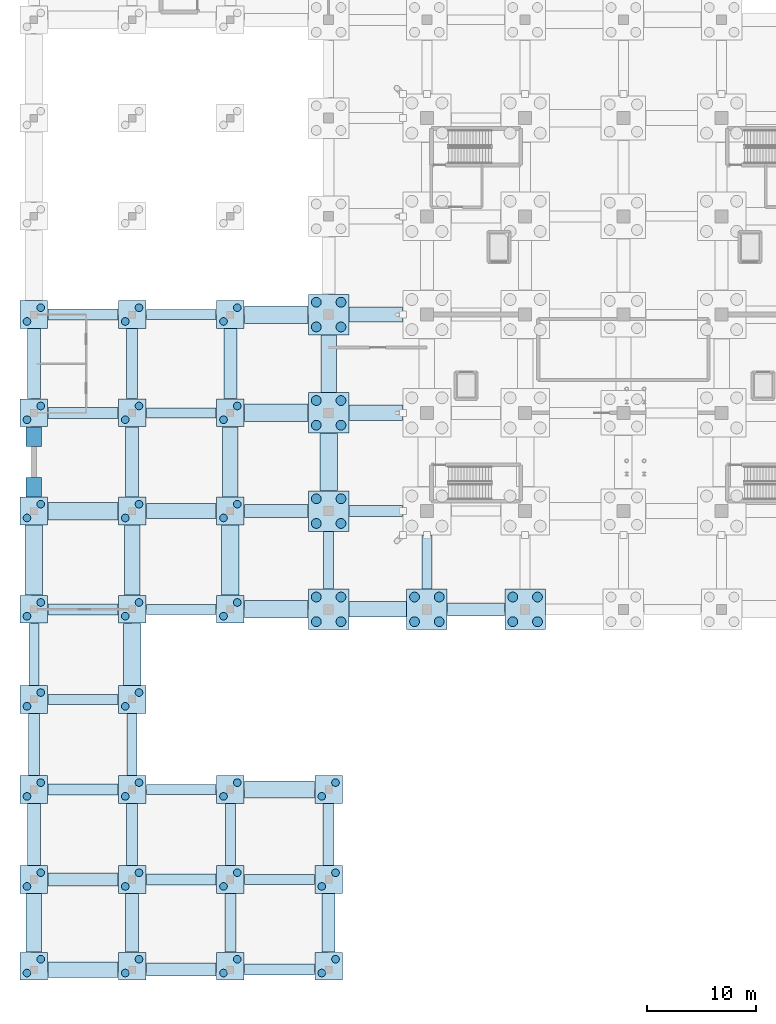
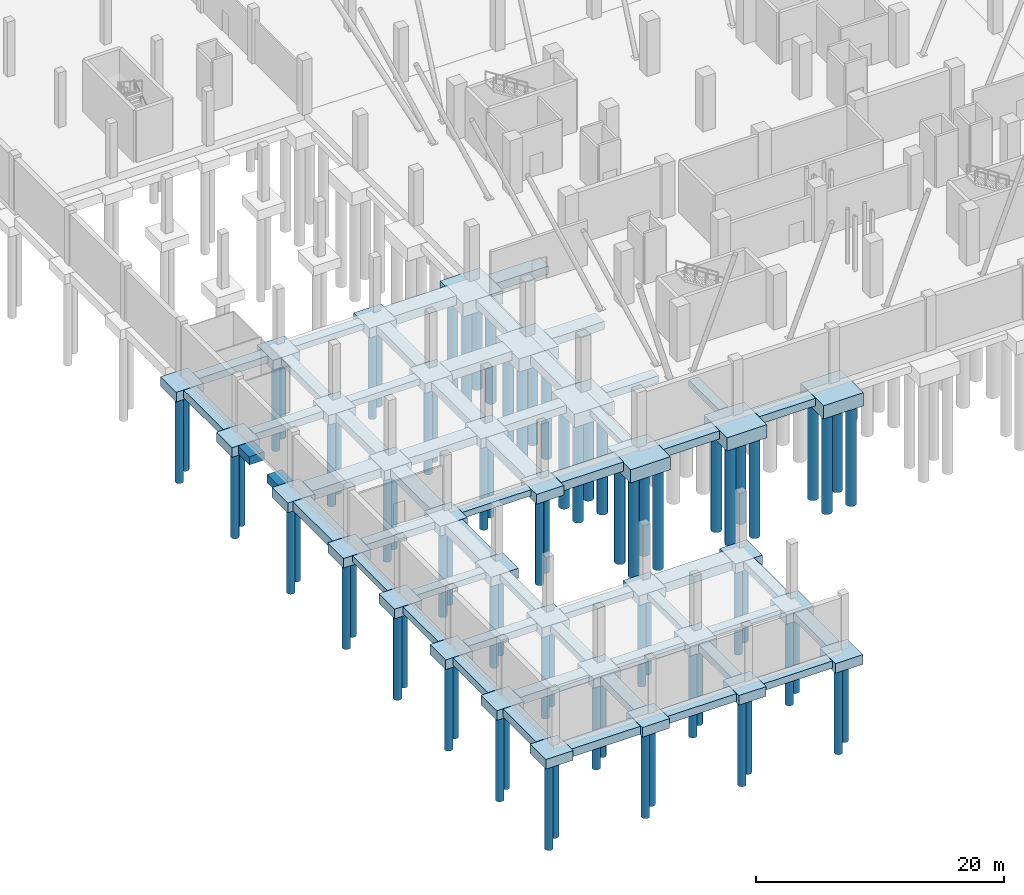
# One storey, part 1 of 42: 85 footings, 76 piles.
"""IFC4 building model written with IfcOpenShell, lengths in metres."""

import ifcopenshell
import ifcopenshell.guid

model = None  # the IFC model being written
_history = None  # IfcOwnerHistory: only IFC2X3 demands one
_inside = {}  # id of a spatial element -> (the spatial element, [elements in it])
_under = {}  # id of a project, library or spatial element -> (it, [spatial elements below it])
_declared = {}  # id of a project -> (the project, [libraries it declares])
_typed = {}  # id of a type object -> (the type object, [elements of that type])
_made_of = {}  # id of a material, layer set ... -> (it, [elements and type objects made of it])


def new_model(schema):
    """Start an empty IFC model of exactly this schema.

    Asked for "IFC4X3", IfcOpenShell would pick the latest addendum, in which some entities
    have other attributes; the version numbers below select the first issue.
    IFC2X3 requires an IfcOwnerHistory on every rooted entity: one is made here for all.
    """
    global model, _history
    if schema == "IFC4X3":
        model = ifcopenshell.file(schema_version=(4, 3, 0, 0))
    else:
        model = ifcopenshell.file(schema=schema)
    _inside.clear()
    _under.clear()
    _declared.clear()
    _typed.clear()
    _made_of.clear()
    _history = None
    if model.schema == "IFC2X3":
        org = make("IfcOrganization", Name="unknown")
        user = make(
            "IfcPersonAndOrganization",
            ThePerson=make("IfcPerson", FamilyName="unknown"),
            TheOrganization=org,
        )
        app = make(
            "IfcApplication",
            ApplicationDeveloper=org,
            Version="unknown",
            ApplicationFullName="unknown",
            ApplicationIdentifier="unknown",
        )
        _history = make(
            "IfcOwnerHistory",
            OwningUser=user,
            OwningApplication=app,
            ChangeAction="ADDED",
            CreationDate=0,
        )
    return model


def make(cls, **values):
    """One entity of the class cls with the attributes given. An attribute that is None is left unset."""
    return model.create_entity(
        cls, **{name: value for name, value in values.items() if value is not None}
    )


def rooted(cls, **values):
    """An entity with a GlobalId (a new one), such as an element, a storey or a relation."""
    return make(cls, GlobalId=ifcopenshell.guid.new(), OwnerHistory=_history, **values)


def si_unit(unit_type, name, prefix=None):
    """IfcSIUnit, for example si_unit("LENGTHUNIT", "METRE", prefix="MILLI")."""
    return make("IfcSIUnit", UnitType=unit_type, Prefix=prefix, Name=name)


def assignment(units):
    """IfcUnitAssignment: the units of a project."""
    return None if units is None else make("IfcUnitAssignment", Units=units)


def point(xyz):
    """IfcCartesianPoint."""
    return None if xyz is None else make("IfcCartesianPoint", Coordinates=xyz)


def direction(xyz):
    """IfcDirection."""
    return None if xyz is None else make("IfcDirection", DirectionRatios=xyz)


def frame(location, z_axis=None, x_axis=None):
    """IfcAxis2Placement3D, a coordinate frame: its origin and axes. An axis left out is left unset."""
    return make(
        "IfcAxis2Placement3D",
        Location=point(location),
        Axis=direction(z_axis),
        RefDirection=direction(x_axis),
    )


def frame_2d(location, x_axis=None):
    """IfcAxis2Placement2D, a coordinate frame in the plane: its origin and x axis."""
    return make(
        "IfcAxis2Placement2D", Location=point(location), RefDirection=direction(x_axis)
    )


def origin():
    """The frame at (0, 0, 0) with its axes left unset."""
    return frame((0.0, 0.0, 0.0))


def origin_2d():
    """The frame at (0, 0) in the plane with its x axis left unset."""
    return frame_2d((0.0, 0.0))


def place(relative_to, where):
    """IfcLocalPlacement: puts the frame where relative to a parent placement (None: the world)."""
    return make(
        "IfcLocalPlacement", PlacementRelTo=relative_to, RelativePlacement=where
    )


def context(
    kind, dimensions, precision=None, world=None, true_north=None, identifier=None
):
    """IfcGeometricRepresentationContext, for example the 3D "Model" context."""
    return make(
        "IfcGeometricRepresentationContext",
        ContextIdentifier=identifier,
        ContextType=kind,
        CoordinateSpaceDimension=dimensions,
        Precision=precision,
        WorldCoordinateSystem=world,
        TrueNorth=true_north,
    )


def subcontext(parent, identifier, kind, view, scale=None):
    """IfcGeometricRepresentationSubContext, for example "Body" below "Model"."""
    return make(
        "IfcGeometricRepresentationSubContext",
        ContextIdentifier=identifier,
        ContextType=kind,
        ParentContext=parent,
        TargetScale=scale,
        TargetView=view,
    )


def project(units=None, contexts=None):
    """IfcProject with its units and contexts."""
    return rooted(
        "IfcProject",
        Name="project",
        RepresentationContexts=contexts,
        UnitsInContext=assignment(units),
    )


def spatial(cls, under=None, at=None, **own):
    """A site, building, storey or space (cls), placed at a placement, below another one or the project."""
    s = rooted(cls, ObjectPlacement=at, **own)
    if under is not None:
        _under.setdefault(under.id(), (under, []))[1].append(s)
    return s


def profile(cls, at=None, kind="AREA", **sizes):
    """A parametric profile (cls). Its sizes go by their IFC names, for example OverallWidth=200.0."""
    return make(cls, ProfileType=kind, Position=at, **sizes)


def rectangle(**sizes):
    """IfcRectangleProfileDef."""
    return profile("IfcRectangleProfileDef", **sizes)


def circle(**sizes):
    """IfcCircleProfileDef."""
    return profile("IfcCircleProfileDef", **sizes)


def extrude(swept, where, along, depth):
    """IfcExtrudedAreaSolid: the profile swept, set in the frame where, extruded along a direction by depth."""
    return make(
        "IfcExtrudedAreaSolid",
        SweptArea=swept,
        Position=where,
        ExtrudedDirection=direction(along),
        Depth=depth,
    )


def shape(context_of_items, identifier, shape_type, items):
    """IfcShapeRepresentation: the items that make up one representation, for example the "Body"."""
    return make(
        "IfcShapeRepresentation",
        ContextOfItems=context_of_items,
        RepresentationIdentifier=identifier,
        RepresentationType=shape_type,
        Items=items,
    )


def material(Name=None, Category=None):
    """IfcMaterial."""
    return make("IfcMaterial", Name=Name, Category=Category)


def material_profile(
    of_material, cross_section, Name=None, Category=None, Priority=None
):
    """IfcMaterialProfile: a cross section and its material."""
    return make(
        "IfcMaterialProfile",
        Name=Name,
        Material=of_material,
        Profile=cross_section,
        Priority=Priority,
        Category=Category,
    )


def profile_set(profiles, Name=None, composite=None):
    """IfcMaterialProfileSet."""
    return make(
        "IfcMaterialProfileSet",
        Name=Name,
        MaterialProfiles=profiles,
        CompositeProfile=composite,
    )


def made_of(thing, what):
    """Note that an element or type object is made of a material, layer set ...; save() writes the relation."""
    if what is not None:
        _made_of.setdefault(what.id(), (what, []))[1].append(thing)
    return thing


def type_object(cls, material=None, **own):
    """A type object (cls), such as IfcWallType, which elements share."""
    return made_of(rooted(cls, **own), material)


def element(
    cls,
    number,
    at=None,
    inside=None,
    cuts=None,
    type_object=None,
    material=None,
    context=None,
    identifier="Body",
    shape_type=None,
    held_by="IfcProductDefinitionShape",
    body=None,
    shapes=None,
    **own,
):
    """One element of the class cls, such as IfcWall. Its Tag is "e" and its number.

    at: its placement. inside: the storey or other place that contains it. cuts: it is an
    opening in that element (IfcRelVoidsElement). A single representation is given by context,
    identifier, shape_type and body (its items); several are given by shapes. held_by: the class
    of the entity that holds the representations. save() writes the other relations.
    """
    e = rooted(cls, Tag="e%d" % number, ObjectPlacement=at, **own)
    if body is not None:
        shapes = [shape(context, identifier, shape_type, body)]
    if shapes is not None:
        e.Representation = make(held_by, Representations=shapes)
    if inside is not None:
        _inside.setdefault(inside.id(), (inside, []))[1].append(e)
    if cuts is not None:
        rooted(
            "IfcRelVoidsElement", RelatingBuildingElement=cuts, RelatedOpeningElement=e
        )
    if type_object is not None:
        _typed.setdefault(type_object.id(), (type_object, []))[1].append(e)
    return made_of(e, material)


def aggregate(whole, parts):
    """IfcRelAggregates: a whole, such as a stair, and the parts it consists of."""
    return rooted("IfcRelAggregates", RelatingObject=whole, RelatedObjects=parts)


def save(model, path):
    """Write the relations noted so far, then the file.

    IfcRelAggregates (storeys below a building ...), IfcRelContainedInSpatialStructure (elements
    in a storey), IfcRelDefinesByType, IfcRelAssociatesMaterial and IfcRelDeclares: one each for
    every whole, place, type object, material and project.
    """
    for whole, parts in _under.values():
        aggregate(whole, parts)
    for where, things in _inside.values():
        rooted(
            "IfcRelContainedInSpatialStructure",
            RelatedElements=things,
            RelatingStructure=where,
        )
    for kind, things in _typed.values():
        rooted("IfcRelDefinesByType", RelatedObjects=things, RelatingType=kind)
    for what, things in _made_of.values():
        rooted("IfcRelAssociatesMaterial", RelatedObjects=things, RelatingMaterial=what)
    for by, libraries in _declared.values():
        rooted("IfcRelDeclares", RelatingContext=by, RelatedDefinitions=libraries)
    model.write(path)


model = new_model("IFC4")

# Units and contexts
model_context = context("Model", 3, precision=1e-05, world=origin(), true_north=direction((0.0, 1.0)))
body_context = subcontext(model_context, "Body", "Model", "MODEL_VIEW")
ifc_project = project(units=[si_unit("LENGTHUNIT", "METRE"), si_unit("AREAUNIT", "SQUARE_METRE"), si_unit("VOLUMEUNIT", "CUBIC_METRE"), si_unit("PLANEANGLEUNIT", "RADIAN"), si_unit("MASSUNIT", "GRAM", prefix="KILO")], contexts=[model_context])

# Site, building, storey
site_placement = place(None, origin())
site = spatial("IfcSite", under=ifc_project, at=site_placement, CompositionType="ELEMENT")
building_placement = place(site_placement, origin())
building = spatial("IfcBuilding", under=site, at=building_placement, Name="Sundgate Opera House", CompositionType="ELEMENT")
storey_placement = place(building_placement, frame((0.0, 0.0, -5.39990234375)))
storey = spatial("IfcBuildingStorey", under=building, at=storey_placement, Name="B01", CompositionType="ELEMENT", Elevation=-5.39990234375)

# Footings
ifc_material_1 = material(Name="Concrete C40/50", Category="concrete")
footing_type_1 = type_object("IfcFootingType", Name="FT-PC-2540x2540x950", PredefinedType="PILE_CAP", material=ifc_material_1)
for number, where, z_axis, x_axis, name in (
    (1, (0.0, 0.320068359375, -1.60009765625), (0.0, 0.0, 1.0), (1.0, 0.0, 0.0), "Pile Cap F0001"),
    (2, (0.0, 8.25, -1.60009765625), (0.0, 0.0, 1.0), (1.0, 0.0, 0.0), "Pile Cap F0002"),
    (3, (0.0, 16.5, -1.60009765625), (0.0, 0.0, 1.0), (1.0, 0.0, 0.0), "Pile Cap F0003"),
    (4, (0.0, 24.75, -1.60009765625), (0.0, 0.0, 1.0), (1.0, 0.0, 0.0), "Pile Cap F0004"),
    (5, (0.0, 33.0, -1.60009765625), (0.0, 0.0, 1.0), (1.0, 0.0, 0.0), "Pile Cap F0005"),
    (6, (0.0, 42.0, -1.60009765625), (0.0, 0.0, 1.0), (1.0, 0.0, 0.0), "Pile Cap F0006"),
    (7, (0.0, 51.0, -1.60009765625), (0.0, 0.0, 1.0), (1.0, 0.0, 0.0), "Pile Cap F0007"),
    (8, (0.0, 60.0, -1.60009765625), (0.0, 0.0, 1.0), (1.0, 0.0, 0.0), "Pile Cap F0008"),
    (9, (9.0, 0.320068359375, -1.60009765625), (0.0, 0.0, 1.0), (1.0, 0.0, 0.0), "Pile Cap F0016"),
    (10, (9.0, 8.25, -1.60009765625), (0.0, 0.0, 1.0), (1.0, 0.0, 0.0), "Pile Cap F0017"),
    (11, (9.0, 16.5, -1.60009765625), (0.0, 0.0, 1.0), (1.0, 0.0, 0.0), "Pile Cap F0018"),
    (12, (9.0, 24.75, -1.60009765625), (0.0, 0.0, 1.0), (1.0, 0.0, 0.0), "Pile Cap F0019"),
    (13, (9.0, 33.0, -1.60009765625), (0.0, 0.0, 1.0), (1.0, 0.0, 0.0), "Pile Cap F0020"),
    (14, (9.0, 42.0, -1.60009765625), (0.0, 0.0, 1.0), (1.0, 0.0, 0.0), "Pile Cap F0021"),
    (15, (9.0, 51.0, -1.60009765625), (0.0, 0.0, 1.0), (1.0, 0.0, 0.0), "Pile Cap F0022"),
    (16, (9.0, 60.0, -1.60009765625), (0.0, 0.0, 1.0), (1.0, 0.0, 0.0), "Pile Cap F0023"),
    (17, (18.0, 0.320068359375, -1.60009765625), (0.0, 0.0, 1.0), (1.0, 0.0, 0.0), "Pile Cap F0031"),
    (18, (18.0, 8.25, -1.60009765625), (0.0, 0.0, 1.0), (1.0, 0.0, 0.0), "Pile Cap F0032"),
    (19, (18.0, 16.5, -1.60009765625), (0.0, 0.0, 1.0), (1.0, 0.0, 0.0), "Pile Cap F0033"),
    (20, (18.0, 33.0, -1.60009765625), (0.0, 0.0, 1.0), (1.0, 0.0, 0.0), "Pile Cap F0034"),
    (21, (18.0, 42.0, -1.60009765625), (0.0, 0.0, 1.0), (1.0, 0.0, 0.0), "Pile Cap F0035"),
    (22, (18.0, 51.0, -1.60009765625), (0.0, 0.0, 1.0), (1.0, 0.0, 0.0), "Pile Cap F0036"),
    (23, (18.0, 60.0, -1.60009765625), (0.0, 0.0, 1.0), (1.0, 0.0, 0.0), "Pile Cap F0037"),
    (24, (27.0, 0.320068359375, -1.60009765625), (0.0, 0.0, 1.0), (1.0, 0.0, 0.0), "Pile Cap F0045"),
    (25, (27.0, 8.25, -1.60009765625), (0.0, 0.0, 1.0), (1.0, 0.0, 0.0), "Pile Cap F0046"),
    (26, (27.0, 16.5, -1.60009765625), (0.0, 0.0, 1.0), (1.0, 0.0, 0.0), "Pile Cap F0047"),
):
    element("IfcFooting", number, at=place(storey_placement, frame(where, z_axis=z_axis, x_axis=x_axis)), inside=storey, type_object=footing_type_1, Name=name, PredefinedType="PILE_CAP", context=body_context, shape_type="SweptSolid", body=[
        extrude(rectangle(XDim=2.5400390625, YDim=2.5400390625, at=origin_2d()), origin(), (0.0, 0.0, 1.0), 0.949951171875),
    ])
ifc_material_2 = material(Name="Concrete C40/50", Category="concrete")
footing_type_2 = type_object("IfcFootingType", Name="FT-PC-3720x3720x1300", PredefinedType="PILE_CAP", material=ifc_material_2)
for number, where, z_axis, x_axis, name in (
    (27, (27.0, 33.0, -2.10009765625), (0.0, 0.0, 1.0), (1.0, 0.0, 0.0), "Pile Cap F0048"),
    (28, (27.0, 42.0, -2.10009765625), (0.0, 0.0, 1.0), (1.0, 0.0, 0.0), "Pile Cap F0049"),
    (29, (27.0, 51.0, -2.10009765625), (0.0, 0.0, 1.0), (1.0, 0.0, 0.0), "Pile Cap F0050"),
    (30, (27.0, 60.0, -2.10009765625), (0.0, 0.0, 1.0), (1.0, 0.0, 0.0), "Pile Cap F0051"),
    (31, (36.0, 33.0, -2.10009765625), (0.0, 0.0, 1.0), (1.0, 0.0, 0.0), "Pile Cap F0059"),
    (32, (45.0, 33.0, -2.10009765625), (0.0, 0.0, 1.0), (1.0, 0.0, 0.0), "Pile Cap F0070"),
):
    element("IfcFooting", number, at=place(storey_placement, frame(where, z_axis=z_axis, x_axis=x_axis)), inside=storey, type_object=footing_type_2, Name=name, PredefinedType="PILE_CAP", context=body_context, shape_type="SweptSolid", body=[
        extrude(rectangle(XDim=3.719970703125, YDim=3.719970703125, at=origin_2d()), origin(), (0.0, 0.0, 1.0), 1.300048828125),
    ])
ifc_material_3 = material(Name="Concrete C35/45", Category="concrete")
footing_type_3 = type_object("IfcFootingType", Name="FT-STR-1000x700", PredefinedType="STRIP_FOOTING", material=ifc_material_3)
for number, where, z_axis, x_axis, name in (
    (33, (0.0, 20.625, -1.35009765625), (0.0, 0.0, 1.0), (1.0, 0.0, 0.0), "Strip Footing F0306"),
    (34, (9.0, 12.375, -1.35009765625), (0.0, 0.0, 1.0), (1.0, 0.0, 0.0), "Strip Footing F0317"),
):
    element("IfcFooting", number, at=place(storey_placement, frame(where, z_axis=z_axis, x_axis=x_axis)), inside=storey, type_object=footing_type_3, Name=name, PredefinedType="STRIP_FOOTING", context=body_context, shape_type="SweptSolid", body=[
        extrude(rectangle(XDim=1.0, YDim=5.659912109375, at=origin_2d()), origin(), (0.0, 0.0, 1.0), 0.699951171875),
    ])
footing_1_placement = place(storey_placement, frame((9.0, 55.5, -1.35009765625), z_axis=(0.0, 0.0, 1.0), x_axis=(1.0, 0.0, 0.0)))
element("IfcFooting", 35, at=footing_1_placement, inside=storey, type_object=footing_type_3, Name="Strip Footing F0322", PredefinedType="STRIP_FOOTING", context=body_context, shape_type="SweptSolid", body=[
    extrude(rectangle(XDim=1.0, YDim=6.409912109375, at=origin_2d()), origin(), (0.0, 0.0, 1.0), 0.699951171875),
])
footing_2_placement = place(storey_placement, frame((18.0, 4.284912109375, -1.35009765625), z_axis=(0.0, 0.0, 1.0), x_axis=(1.0, 0.0, 0.0)))
element("IfcFooting", 36, at=footing_2_placement, inside=storey, type_object=footing_type_3, Name="Strip Footing F0327", PredefinedType="STRIP_FOOTING", context=body_context, shape_type="SweptSolid", body=[
    extrude(rectangle(XDim=1.0, YDim=5.340087890625, at=origin_2d()), origin(), (0.0, 0.0, 1.0), 0.699951171875),
])
footing_3_placement = place(storey_placement, frame((27.0, 12.375, -1.35009765625), z_axis=(0.0, 0.0, 1.0), x_axis=(1.0, 0.0, 0.0)))
element("IfcFooting", 37, at=footing_3_placement, inside=storey, type_object=footing_type_3, Name="Strip Footing F0337", PredefinedType="STRIP_FOOTING", context=body_context, shape_type="SweptSolid", body=[
    extrude(rectangle(XDim=1.0, YDim=5.659912109375, at=origin_2d()), origin(), (0.0, 0.0, 1.0), 0.699951171875),
])
for number, where, z_axis, x_axis, name in (
    (38, (22.5, 0.0, -1.35009765625), (0.0, 0.0, 1.0), (1.0, 0.0, 0.0), "Strip Footing F0542"),
    (39, (13.5, 8.25, -1.35009765625), (0.0, 0.0, 1.0), (1.0, 0.0, 0.0), "Strip Footing F0557"),
    (40, (4.5, 16.5, -1.35009765625), (0.0, 0.0, 1.0), (1.0, 0.0, 0.0), "Strip Footing F0572"),
    (41, (4.5, 33.0, -1.35009765625), (0.0, 0.0, 1.0), (1.0, 0.0, 0.0), "Strip Footing F0602"),
):
    element("IfcFooting", number, at=place(storey_placement, frame(where, z_axis=z_axis, x_axis=x_axis)), inside=storey, type_object=footing_type_3, Name=name, PredefinedType="STRIP_FOOTING", context=body_context, shape_type="SweptSolid", body=[
        extrude(rectangle(XDim=6.409912109375, YDim=1.0, at=origin_2d()), origin(), (0.0, 0.0, 1.0), 0.699951171875),
    ])
footing_4_placement = place(storey_placement, frame((31.324951171875, 42.0, -1.5), z_axis=(0.0, 0.0, 1.0), x_axis=(1.0, 0.0, 0.0)))
element("IfcFooting", 42, at=footing_4_placement, inside=storey, type_object=footing_type_3, Name="Strip Footing F0627", PredefinedType="STRIP_FOOTING", context=body_context, shape_type="SweptSolid", body=[
    extrude(rectangle(XDim=4.8798828125, YDim=1.0, at=origin_2d()), origin(), (0.0, 0.0, 1.0), 0.699951171875),
])
for number, where, z_axis, x_axis, name in (
    (43, (4.5, 51.0, -1.35009765625), (0.0, 0.0, 1.0), (1.0, 0.0, 0.0), "Strip Footing F0642"),
    (44, (4.5, 60.0, -1.35009765625), (0.0, 0.0, 1.0), (1.0, 0.0, 0.0), "Strip Footing F0657"),
):
    element("IfcFooting", number, at=place(storey_placement, frame(where, z_axis=z_axis, x_axis=x_axis)), inside=storey, type_object=footing_type_3, Name=name, PredefinedType="STRIP_FOOTING", context=body_context, shape_type="SweptSolid", body=[
        extrude(rectangle(XDim=6.409912109375, YDim=1.0, at=origin_2d()), origin(), (0.0, 0.0, 1.0), 0.699951171875),
    ])
ifc_material_4 = material(Name="Concrete C35/45", Category="concrete")
footing_type_4 = type_object("IfcFootingType", Name="FT-STR-1200x750", PredefinedType="STRIP_FOOTING", material=ifc_material_4)
footing_5_placement = place(storey_placement, frame((0.0, 12.375, -1.400146484375), z_axis=(0.0, 0.0, 1.0), x_axis=(1.0, 0.0, 0.0)))
element("IfcFooting", 45, at=footing_5_placement, inside=storey, type_object=footing_type_4, Name="Strip Footing F0305", PredefinedType="STRIP_FOOTING", context=body_context, shape_type="SweptSolid", body=[
    extrude(rectangle(XDim=1.199951171875, YDim=5.659912109375, at=origin_2d()), origin(), (0.0, 0.0, 1.0), 0.75),
])
footing_6_placement = place(storey_placement, frame((0.0, 55.5, -1.400146484375), z_axis=(0.0, 0.0, 1.0), x_axis=(1.0, 0.0, 0.0)))
element("IfcFooting", 46, at=footing_6_placement, inside=storey, type_object=footing_type_4, Name="Strip Footing F0311", PredefinedType="STRIP_FOOTING", context=body_context, shape_type="SweptSolid", body=[
    extrude(rectangle(XDim=1.199951171875, YDim=6.409912109375, at=origin_2d()), origin(), (0.0, 0.0, 1.0), 0.75),
])
footing_7_placement = place(storey_placement, frame((9.0, 4.284912109375, -1.400146484375), z_axis=(0.0, 0.0, 1.0), x_axis=(1.0, 0.0, 0.0)))
element("IfcFooting", 47, at=footing_7_placement, inside=storey, type_object=footing_type_4, Name="Strip Footing F0316", PredefinedType="STRIP_FOOTING", context=body_context, shape_type="SweptSolid", body=[
    extrude(rectangle(XDim=1.199951171875, YDim=5.340087890625, at=origin_2d()), origin(), (0.0, 0.0, 1.0), 0.75),
])
for number, where, z_axis, x_axis, name in (
    (48, (9.0, 46.5, -1.400146484375), (0.0, 0.0, 1.0), (1.0, 0.0, 0.0), "Strip Footing F0321"),
    (49, (18.0, 55.5, -1.400146484375), (0.0, 0.0, 1.0), (1.0, 0.0, 0.0), "Strip Footing F0331"),
):
    element("IfcFooting", number, at=place(storey_placement, frame(where, z_axis=z_axis, x_axis=x_axis)), inside=storey, type_object=footing_type_4, Name=name, PredefinedType="STRIP_FOOTING", context=body_context, shape_type="SweptSolid", body=[
        extrude(rectangle(XDim=1.199951171875, YDim=6.409912109375, at=origin_2d()), origin(), (0.0, 0.0, 1.0), 0.75),
    ])
footing_8_placement = place(storey_placement, frame((27.0, 4.284912109375, -1.400146484375), z_axis=(0.0, 0.0, 1.0), x_axis=(1.0, 0.0, 0.0)))
element("IfcFooting", 50, at=footing_8_placement, inside=storey, type_object=footing_type_4, Name="Strip Footing F0336", PredefinedType="STRIP_FOOTING", context=body_context, shape_type="SweptSolid", body=[
    extrude(rectangle(XDim=1.199951171875, YDim=5.340087890625, at=origin_2d()), origin(), (0.0, 0.0, 1.0), 0.75),
])
for number, where, z_axis, x_axis, name in (
    (51, (13.5, 0.0, -1.400146484375), (0.0, 0.0, 1.0), (1.0, 0.0, 0.0), "Strip Footing F0541"),
    (52, (4.5, 8.25, -1.400146484375), (0.0, 0.0, 1.0), (1.0, 0.0, 0.0), "Strip Footing F0556"),
):
    element("IfcFooting", number, at=place(storey_placement, frame(where, z_axis=z_axis, x_axis=x_axis)), inside=storey, type_object=footing_type_4, Name=name, PredefinedType="STRIP_FOOTING", context=body_context, shape_type="SweptSolid", body=[
        extrude(rectangle(XDim=6.409912109375, YDim=1.199951171875, at=origin_2d()), origin(), (0.0, 0.0, 1.0), 0.75),
    ])
footing_9_placement = place(storey_placement, frame((40.5, 33.0, -1.550048828125), z_axis=(0.0, 0.0, 1.0), x_axis=(1.0, 0.0, 0.0)))
element("IfcFooting", 53, at=footing_9_placement, inside=storey, type_object=footing_type_4, Name="Strip Footing F0606", PredefinedType="STRIP_FOOTING", context=body_context, shape_type="SweptSolid", body=[
    extrude(rectangle(XDim=5.22998046875, YDim=1.199951171875, at=origin_2d()), origin(), (0.0, 0.0, 1.0), 0.75),
])
footing_10_placement = place(storey_placement, frame((22.205078125, 42.0, -1.400146484375), z_axis=(0.0, 0.0, 1.0), x_axis=(1.0, 0.0, 0.0)))
element("IfcFooting", 54, at=footing_10_placement, inside=storey, type_object=footing_type_4, Name="Strip Footing F0626", PredefinedType="STRIP_FOOTING", context=body_context, shape_type="SweptSolid", body=[
    extrude(rectangle(XDim=5.820068359375, YDim=1.199951171875, at=origin_2d()), origin(), (0.0, 0.0, 1.0), 0.75),
])
ifc_material_5 = material(Name="Concrete C35/45", Category="concrete")
footing_type_5 = type_object("IfcFootingType", Name="FT-STR-1400x800", PredefinedType="STRIP_FOOTING", material=ifc_material_5)
footing_11_placement = place(storey_placement, frame((0.0, 4.284912109375, -1.4501953125), z_axis=(0.0, 0.0, 1.0), x_axis=(1.0, 0.0, 0.0)))
element("IfcFooting", 55, at=footing_11_placement, inside=storey, type_object=footing_type_5, Name="Strip Footing F0304", PredefinedType="STRIP_FOOTING", context=body_context, shape_type="SweptSolid", body=[
    extrude(rectangle(XDim=1.39990234375, YDim=5.340087890625, at=origin_2d()), origin(), (0.0, 0.0, 1.0), 0.800048828125),
])
for number, where, z_axis, x_axis, name in (
    (56, (0.0, 44.18505859375, -1.4501953125), (0.0, 0.0, 1.0), (1.0, 0.0, 0.0), "Strip Footing F0309"),
    (57, (0.0, 48.81494140625, -1.4501953125), (0.0, 0.0, 1.0), (1.0, 0.0, 0.0), "Strip Footing F0310"),
):
    element("IfcFooting", number, at=place(storey_placement, frame(where, z_axis=z_axis, x_axis=x_axis)), inside=storey, type_object=footing_type_5, Name=name, PredefinedType="STRIP_FOOTING", context=body_context, shape_type="SweptSolid", body=[
        extrude(rectangle(XDim=1.39990234375, YDim=1.780029296875, at=origin_2d()), origin(), (0.0, 0.0, 1.0), 0.800048828125),
    ])
for number, where, z_axis, x_axis, name in (
    (58, (9.0, 37.5, -1.4501953125), (0.0, 0.0, 1.0), (1.0, 0.0, 0.0), "Strip Footing F0320"),
    (59, (18.0, 46.5, -1.4501953125), (0.0, 0.0, 1.0), (1.0, 0.0, 0.0), "Strip Footing F0330"),
):
    element("IfcFooting", number, at=place(storey_placement, frame(where, z_axis=z_axis, x_axis=x_axis)), inside=storey, type_object=footing_type_5, Name=name, PredefinedType="STRIP_FOOTING", context=body_context, shape_type="SweptSolid", body=[
        extrude(rectangle(XDim=1.39990234375, YDim=6.409912109375, at=origin_2d()), origin(), (0.0, 0.0, 1.0), 0.800048828125),
    ])
footing_12_placement = place(storey_placement, frame((27.0, 55.5, -1.60009765625), z_axis=(0.0, 0.0, 1.0), x_axis=(1.0, 0.0, 0.0)))
element("IfcFooting", 60, at=footing_12_placement, inside=storey, type_object=footing_type_5, Name="Strip Footing F0340", PredefinedType="STRIP_FOOTING", context=body_context, shape_type="SweptSolid", body=[
    extrude(rectangle(XDim=1.39990234375, YDim=5.22998046875, at=origin_2d()), origin(), (0.0, 0.0, 1.0), 0.800048828125),
])
footing_13_placement = place(storey_placement, frame((4.5, 0.0, -1.4501953125), z_axis=(0.0, 0.0, 1.0), x_axis=(1.0, 0.0, 0.0)))
element("IfcFooting", 61, at=footing_13_placement, inside=storey, type_object=footing_type_5, Name="Strip Footing F0540", PredefinedType="STRIP_FOOTING", context=body_context, shape_type="SweptSolid", body=[
    extrude(rectangle(XDim=6.409912109375, YDim=1.39990234375, at=origin_2d()), origin(), (0.0, 0.0, 1.0), 0.800048828125),
])
footing_14_placement = place(storey_placement, frame((31.5, 33.0, -1.60009765625), z_axis=(0.0, 0.0, 1.0), x_axis=(1.0, 0.0, 0.0)))
element("IfcFooting", 62, at=footing_14_placement, inside=storey, type_object=footing_type_5, Name="Strip Footing F0605", PredefinedType="STRIP_FOOTING", context=body_context, shape_type="SweptSolid", body=[
    extrude(rectangle(XDim=5.22998046875, YDim=1.39990234375, at=origin_2d()), origin(), (0.0, 0.0, 1.0), 0.800048828125),
])
footing_15_placement = place(storey_placement, frame((13.5, 42.0, -1.4501953125), z_axis=(0.0, 0.0, 1.0), x_axis=(1.0, 0.0, 0.0)))
element("IfcFooting", 63, at=footing_15_placement, inside=storey, type_object=footing_type_5, Name="Strip Footing F0625", PredefinedType="STRIP_FOOTING", context=body_context, shape_type="SweptSolid", body=[
    extrude(rectangle(XDim=6.409912109375, YDim=1.39990234375, at=origin_2d()), origin(), (0.0, 0.0, 1.0), 0.800048828125),
])
for number, where, z_axis, x_axis, name in (
    (64, (31.324951171875, 51.0, -1.60009765625), (0.0, 0.0, 1.0), (1.0, 0.0, 0.0), "Strip Footing F0645"),
    (65, (31.324951171875, 60.0, -1.60009765625), (0.0, 0.0, 1.0), (1.0, 0.0, 0.0), "Strip Footing F0660"),
):
    element("IfcFooting", number, at=place(storey_placement, frame(where, z_axis=z_axis, x_axis=x_axis)), inside=storey, type_object=footing_type_5, Name=name, PredefinedType="STRIP_FOOTING", context=body_context, shape_type="SweptSolid", body=[
        extrude(rectangle(XDim=4.8798828125, YDim=1.39990234375, at=origin_2d()), origin(), (0.0, 0.0, 1.0), 0.800048828125),
    ])
ifc_material_6 = material(Name="Concrete C35/45", Category="concrete")
footing_type_6 = type_object("IfcFootingType", Name="FT-STR-1600x900", PredefinedType="STRIP_FOOTING", material=ifc_material_6)
footing_16_placement = place(storey_placement, frame((0.0, 37.5, -1.550048828125), z_axis=(0.0, 0.0, 1.0), x_axis=(1.0, 0.0, 0.0)))
element("IfcFooting", 66, at=footing_16_placement, inside=storey, type_object=footing_type_6, Name="Strip Footing F0308", PredefinedType="STRIP_FOOTING", context=body_context, shape_type="SweptSolid", body=[
    extrude(rectangle(XDim=1.60009765625, YDim=6.409912109375, at=origin_2d()), origin(), (0.0, 0.0, 1.0), 0.89990234375),
])
footing_17_placement = place(storey_placement, frame((9.0, 28.875, -1.550048828125), z_axis=(0.0, 0.0, 1.0), x_axis=(1.0, 0.0, 0.0)))
element("IfcFooting", 67, at=footing_17_placement, inside=storey, type_object=footing_type_6, Name="Strip Footing F0319", PredefinedType="STRIP_FOOTING", context=body_context, shape_type="SweptSolid", body=[
    extrude(rectangle(XDim=1.60009765625, YDim=5.659912109375, at=origin_2d()), origin(), (0.0, 0.0, 1.0), 0.89990234375),
])
footing_18_placement = place(storey_placement, frame((18.0, 37.5, -1.550048828125), z_axis=(0.0, 0.0, 1.0), x_axis=(1.0, 0.0, 0.0)))
element("IfcFooting", 68, at=footing_18_placement, inside=storey, type_object=footing_type_6, Name="Strip Footing F0329", PredefinedType="STRIP_FOOTING", context=body_context, shape_type="SweptSolid", body=[
    extrude(rectangle(XDim=1.60009765625, YDim=6.409912109375, at=origin_2d()), origin(), (0.0, 0.0, 1.0), 0.89990234375),
])
footing_19_placement = place(storey_placement, frame((27.0, 46.5, -1.699951171875), z_axis=(0.0, 0.0, 1.0), x_axis=(1.0, 0.0, 0.0)))
element("IfcFooting", 69, at=footing_19_placement, inside=storey, type_object=footing_type_6, Name="Strip Footing F0339", PredefinedType="STRIP_FOOTING", context=body_context, shape_type="SweptSolid", body=[
    extrude(rectangle(XDim=1.60009765625, YDim=5.22998046875, at=origin_2d()), origin(), (0.0, 0.0, 1.0), 0.89990234375),
])
footing_20_placement = place(storey_placement, frame((22.5, 16.5, -1.550048828125), z_axis=(0.0, 0.0, 1.0), x_axis=(1.0, 0.0, 0.0)))
element("IfcFooting", 70, at=footing_20_placement, inside=storey, type_object=footing_type_6, Name="Strip Footing F0574", PredefinedType="STRIP_FOOTING", context=body_context, shape_type="SweptSolid", body=[
    extrude(rectangle(XDim=6.409912109375, YDim=1.60009765625, at=origin_2d()), origin(), (0.0, 0.0, 1.0), 0.89990234375),
])
footing_21_placement = place(storey_placement, frame((22.205078125, 33.0, -1.550048828125), z_axis=(0.0, 0.0, 1.0), x_axis=(1.0, 0.0, 0.0)))
element("IfcFooting", 71, at=footing_21_placement, inside=storey, type_object=footing_type_6, Name="Strip Footing F0604", PredefinedType="STRIP_FOOTING", context=body_context, shape_type="SweptSolid", body=[
    extrude(rectangle(XDim=5.820068359375, YDim=1.60009765625, at=origin_2d()), origin(), (0.0, 0.0, 1.0), 0.89990234375),
])
footing_22_placement = place(storey_placement, frame((4.5, 42.0, -1.550048828125), z_axis=(0.0, 0.0, 1.0), x_axis=(1.0, 0.0, 0.0)))
element("IfcFooting", 72, at=footing_22_placement, inside=storey, type_object=footing_type_6, Name="Strip Footing F0624", PredefinedType="STRIP_FOOTING", context=body_context, shape_type="SweptSolid", body=[
    extrude(rectangle(XDim=6.409912109375, YDim=1.60009765625, at=origin_2d()), origin(), (0.0, 0.0, 1.0), 0.89990234375),
])
for number, where, z_axis, x_axis, name in (
    (73, (22.205078125, 51.0, -1.550048828125), (0.0, 0.0, 1.0), (1.0, 0.0, 0.0), "Strip Footing F0644"),
    (74, (22.205078125, 60.0, -1.550048828125), (0.0, 0.0, 1.0), (1.0, 0.0, 0.0), "Strip Footing F0659"),
):
    element("IfcFooting", number, at=place(storey_placement, frame(where, z_axis=z_axis, x_axis=x_axis)), inside=storey, type_object=footing_type_6, Name=name, PredefinedType="STRIP_FOOTING", context=body_context, shape_type="SweptSolid", body=[
        extrude(rectangle(XDim=5.820068359375, YDim=1.60009765625, at=origin_2d()), origin(), (0.0, 0.0, 1.0), 0.89990234375),
    ])
ifc_material_7 = material(Name="Concrete C35/45", Category="concrete")
footing_type_7 = type_object("IfcFootingType", Name="FT-STR-900x600", PredefinedType="STRIP_FOOTING", material=ifc_material_7)
for number, where, z_axis, x_axis, name in (
    (75, (0.0, 28.875, -1.250244140625), (0.0, 0.0, 1.0), (1.0, 0.0, 0.0), "Strip Footing F0307"),
    (76, (9.0, 20.625, -1.250244140625), (0.0, 0.0, 1.0), (1.0, 0.0, 0.0), "Strip Footing F0318"),
    (77, (18.0, 12.375, -1.250244140625), (0.0, 0.0, 1.0), (1.0, 0.0, 0.0), "Strip Footing F0328"),
):
    element("IfcFooting", number, at=place(storey_placement, frame(where, z_axis=z_axis, x_axis=x_axis)), inside=storey, type_object=footing_type_7, Name=name, PredefinedType="STRIP_FOOTING", context=body_context, shape_type="SweptSolid", body=[
        extrude(rectangle(XDim=0.89990234375, YDim=5.659912109375, at=origin_2d()), origin(), (0.0, 0.0, 1.0), 0.60009765625),
    ])
footing_23_placement = place(storey_placement, frame((27.0, 37.5, -1.400146484375), z_axis=(0.0, 0.0, 1.0), x_axis=(1.0, 0.0, 0.0)))
element("IfcFooting", 78, at=footing_23_placement, inside=storey, type_object=footing_type_7, Name="Strip Footing F0338", PredefinedType="STRIP_FOOTING", context=body_context, shape_type="SweptSolid", body=[
    extrude(rectangle(XDim=0.89990234375, YDim=5.22998046875, at=origin_2d()), origin(), (0.0, 0.0, 1.0), 0.60009765625),
])
footing_24_placement = place(storey_placement, frame((36.0, 37.324951171875, -1.400146484375), z_axis=(0.0, 0.0, 1.0), x_axis=(1.0, 0.0, 0.0)))
element("IfcFooting", 79, at=footing_24_placement, inside=storey, type_object=footing_type_7, Name="Strip Footing F0348", PredefinedType="STRIP_FOOTING", context=body_context, shape_type="SweptSolid", body=[
    extrude(rectangle(XDim=0.89990234375, YDim=4.8798828125, at=origin_2d()), origin(), (0.0, 0.0, 1.0), 0.60009765625),
])
for number, where, z_axis, x_axis, name in (
    (80, (22.5, 8.25, -1.250244140625), (0.0, 0.0, 1.0), (1.0, 0.0, 0.0), "Strip Footing F0558"),
    (81, (13.5, 16.5, -1.250244140625), (0.0, 0.0, 1.0), (1.0, 0.0, 0.0), "Strip Footing F0573"),
    (82, (4.5, 24.75, -1.250244140625), (0.0, 0.0, 1.0), (1.0, 0.0, 0.0), "Strip Footing F0588"),
    (83, (13.5, 33.0, -1.250244140625), (0.0, 0.0, 1.0), (1.0, 0.0, 0.0), "Strip Footing F0603"),
    (84, (13.5, 51.0, -1.250244140625), (0.0, 0.0, 1.0), (1.0, 0.0, 0.0), "Strip Footing F0643"),
    (85, (13.5, 60.0, -1.250244140625), (0.0, 0.0, 1.0), (1.0, 0.0, 0.0), "Strip Footing F0658"),
):
    element("IfcFooting", number, at=place(storey_placement, frame(where, z_axis=z_axis, x_axis=x_axis)), inside=storey, type_object=footing_type_7, Name=name, PredefinedType="STRIP_FOOTING", context=body_context, shape_type="SweptSolid", body=[
        extrude(rectangle(XDim=6.409912109375, YDim=0.89990234375, at=origin_2d()), origin(), (0.0, 0.0, 1.0), 0.60009765625),
    ])

# Piles
ifc_material_8 = material(Name="Concrete C40/50", Category="concrete")
ifc_material_profile_1 = material_profile(ifc_material_8, circle(Radius=0.35009765625, at=origin_2d()), Name="PILE D700")
ifc_profile_set_1 = profile_set([ifc_material_profile_1], Name="Concrete C40/50")
pile_type_1 = type_object("IfcPileType", Name="PL-700", PredefinedType="BORED", material=ifc_profile_set_1)
for number, where, z_axis, x_axis, name in (
    (86, (-0.6298828125, -0.31005859375, -1.5), (0.0, 0.0, -1.0), (1.0, 0.0, 0.0), "Rock-Socketed Pile P0001"),
    (87, (0.6298828125, 0.949951171875, -1.5), (0.0, 0.0, -1.0), (1.0, 0.0, 0.0), "Rock-Socketed Pile P0002"),
    (88, (-0.6298828125, 7.6201171875, -1.5), (0.0, 0.0, -1.0), (1.0, 0.0, 0.0), "Rock-Socketed Pile P0003"),
    (89, (0.6298828125, 8.8798828125, -1.5), (0.0, 0.0, -1.0), (1.0, 0.0, 0.0), "Rock-Socketed Pile P0004"),
    (90, (-0.6298828125, 15.8701171875, -1.5), (0.0, 0.0, -1.0), (1.0, 0.0, 0.0), "Rock-Socketed Pile P0005"),
    (91, (0.6298828125, 17.1298828125, -1.5), (0.0, 0.0, -1.0), (1.0, 0.0, 0.0), "Rock-Socketed Pile P0006"),
    (92, (-0.6298828125, 24.1201171875, -1.5), (0.0, 0.0, -1.0), (1.0, 0.0, 0.0), "Rock-Socketed Pile P0007"),
    (93, (0.6298828125, 25.3798828125, -1.5), (0.0, 0.0, -1.0), (1.0, 0.0, 0.0), "Rock-Socketed Pile P0008"),
    (94, (-0.6298828125, 32.3701171875, -1.5), (0.0, 0.0, -1.0), (1.0, 0.0, 0.0), "Rock-Socketed Pile P0009"),
    (95, (0.6298828125, 33.6298828125, -1.5), (0.0, 0.0, -1.0), (1.0, 0.0, 0.0), "Rock-Socketed Pile P0010"),
    (96, (-0.6298828125, 41.3701171875, -1.5), (0.0, 0.0, -1.0), (1.0, 0.0, 0.0), "Rock-Socketed Pile P0011"),
    (97, (0.6298828125, 42.6298828125, -1.5), (0.0, 0.0, -1.0), (1.0, 0.0, 0.0), "Rock-Socketed Pile P0012"),
    (98, (-0.6298828125, 50.3701171875, -1.5), (0.0, 0.0, -1.0), (1.0, 0.0, 0.0), "Rock-Socketed Pile P0013"),
    (99, (0.6298828125, 51.6298828125, -1.5), (0.0, 0.0, -1.0), (1.0, 0.0, 0.0), "Rock-Socketed Pile P0014"),
    (100, (-0.6298828125, 59.3701171875, -1.5), (0.0, 0.0, -1.0), (1.0, 0.0, 0.0), "Rock-Socketed Pile P0015"),
    (101, (0.6298828125, 60.6298828125, -1.5), (0.0, 0.0, -1.0), (1.0, 0.0, 0.0), "Rock-Socketed Pile P0016"),
    (102, (8.3701171875, -0.31005859375, -1.5), (0.0, 0.0, -1.0), (1.0, 0.0, 0.0), "Rock-Socketed Pile P0031"),
    (103, (9.6298828125, 0.949951171875, -1.5), (0.0, 0.0, -1.0), (1.0, 0.0, 0.0), "Rock-Socketed Pile P0032"),
    (104, (8.3701171875, 7.6201171875, -1.5), (0.0, 0.0, -1.0), (1.0, 0.0, 0.0), "Rock-Socketed Pile P0033"),
    (105, (9.6298828125, 8.8798828125, -1.5), (0.0, 0.0, -1.0), (1.0, 0.0, 0.0), "Rock-Socketed Pile P0034"),
    (106, (8.3701171875, 15.8701171875, -1.5), (0.0, 0.0, -1.0), (1.0, 0.0, 0.0), "Rock-Socketed Pile P0035"),
    (107, (9.6298828125, 17.1298828125, -1.5), (0.0, 0.0, -1.0), (1.0, 0.0, 0.0), "Rock-Socketed Pile P0036"),
    (108, (8.3701171875, 24.1201171875, -1.5), (0.0, 0.0, -1.0), (1.0, 0.0, 0.0), "Rock-Socketed Pile P0037"),
    (109, (9.6298828125, 25.3798828125, -1.5), (0.0, 0.0, -1.0), (1.0, 0.0, 0.0), "Rock-Socketed Pile P0038"),
    (110, (8.3701171875, 32.3701171875, -1.5), (0.0, 0.0, -1.0), (1.0, 0.0, 0.0), "Rock-Socketed Pile P0039"),
    (111, (9.6298828125, 33.6298828125, -1.5), (0.0, 0.0, -1.0), (1.0, 0.0, 0.0), "Rock-Socketed Pile P0040"),
    (112, (8.3701171875, 41.3701171875, -1.5), (0.0, 0.0, -1.0), (1.0, 0.0, 0.0), "Rock-Socketed Pile P0041"),
    (113, (9.6298828125, 42.6298828125, -1.5), (0.0, 0.0, -1.0), (1.0, 0.0, 0.0), "Rock-Socketed Pile P0042"),
    (114, (8.3701171875, 50.3701171875, -1.5), (0.0, 0.0, -1.0), (1.0, 0.0, 0.0), "Rock-Socketed Pile P0043"),
    (115, (9.6298828125, 51.6298828125, -1.5), (0.0, 0.0, -1.0), (1.0, 0.0, 0.0), "Rock-Socketed Pile P0044"),
    (116, (8.3701171875, 59.3701171875, -1.5), (0.0, 0.0, -1.0), (1.0, 0.0, 0.0), "Rock-Socketed Pile P0045"),
    (117, (9.6298828125, 60.6298828125, -1.5), (0.0, 0.0, -1.0), (1.0, 0.0, 0.0), "Rock-Socketed Pile P0046"),
    (118, (17.3701171875, -0.31005859375, -1.5), (0.0, 0.0, -1.0), (1.0, 0.0, 0.0), "Rock-Socketed Pile P0061"),
    (119, (18.6298828125, 0.949951171875, -1.5), (0.0, 0.0, -1.0), (1.0, 0.0, 0.0), "Rock-Socketed Pile P0062"),
    (120, (17.3701171875, 7.6201171875, -1.5), (0.0, 0.0, -1.0), (1.0, 0.0, 0.0), "Rock-Socketed Pile P0063"),
    (121, (18.6298828125, 8.8798828125, -1.5), (0.0, 0.0, -1.0), (1.0, 0.0, 0.0), "Rock-Socketed Pile P0064"),
    (122, (17.3701171875, 15.8701171875, -1.5), (0.0, 0.0, -1.0), (1.0, 0.0, 0.0), "Rock-Socketed Pile P0065"),
    (123, (18.6298828125, 17.1298828125, -1.5), (0.0, 0.0, -1.0), (1.0, 0.0, 0.0), "Rock-Socketed Pile P0066"),
    (124, (17.3701171875, 32.3701171875, -1.5), (0.0, 0.0, -1.0), (1.0, 0.0, 0.0), "Rock-Socketed Pile P0067"),
    (125, (18.6298828125, 33.6298828125, -1.5), (0.0, 0.0, -1.0), (1.0, 0.0, 0.0), "Rock-Socketed Pile P0068"),
    (126, (17.3701171875, 41.3701171875, -1.5), (0.0, 0.0, -1.0), (1.0, 0.0, 0.0), "Rock-Socketed Pile P0069"),
    (127, (18.6298828125, 42.6298828125, -1.5), (0.0, 0.0, -1.0), (1.0, 0.0, 0.0), "Rock-Socketed Pile P0070"),
    (128, (17.3701171875, 50.3701171875, -1.5), (0.0, 0.0, -1.0), (1.0, 0.0, 0.0), "Rock-Socketed Pile P0071"),
    (129, (18.6298828125, 51.6298828125, -1.5), (0.0, 0.0, -1.0), (1.0, 0.0, 0.0), "Rock-Socketed Pile P0072"),
    (130, (17.3701171875, 59.3701171875, -1.5), (0.0, 0.0, -1.0), (1.0, 0.0, 0.0), "Rock-Socketed Pile P0073"),
    (131, (18.6298828125, 60.6298828125, -1.5), (0.0, 0.0, -1.0), (1.0, 0.0, 0.0), "Rock-Socketed Pile P0074"),
    (132, (26.3701171875, -0.31005859375, -1.5), (0.0, 0.0, -1.0), (1.0, 0.0, 0.0), "Rock-Socketed Pile P0089"),
    (133, (27.6298828125, 0.949951171875, -1.5), (0.0, 0.0, -1.0), (1.0, 0.0, 0.0), "Rock-Socketed Pile P0090"),
    (134, (26.3701171875, 7.6201171875, -1.5), (0.0, 0.0, -1.0), (1.0, 0.0, 0.0), "Rock-Socketed Pile P0091"),
    (135, (27.6298828125, 8.8798828125, -1.5), (0.0, 0.0, -1.0), (1.0, 0.0, 0.0), "Rock-Socketed Pile P0092"),
    (136, (26.3701171875, 15.8701171875, -1.5), (0.0, 0.0, -1.0), (1.0, 0.0, 0.0), "Rock-Socketed Pile P0093"),
    (137, (27.6298828125, 17.1298828125, -1.5), (0.0, 0.0, -1.0), (1.0, 0.0, 0.0), "Rock-Socketed Pile P0094"),
):
    element("IfcPile", number, at=place(storey_placement, frame(where, z_axis=z_axis, x_axis=x_axis)), inside=storey, type_object=pile_type_1, Name=name, PredefinedType="BORED", context=body_context, shape_type="SweptSolid", body=[
        extrude(circle(Radius=0.35009765625, at=origin_2d()), origin(), (0.0, 0.0, 1.0), 8.5),
    ])
ifc_material_9 = material(Name="Concrete C40/50", Category="concrete")
ifc_material_profile_2 = material_profile(ifc_material_9, circle(Radius=0.449951171875, at=origin_2d()), Name="PILE D900")
ifc_profile_set_2 = profile_set([ifc_material_profile_2], Name="Concrete C40/50")
pile_type_2 = type_object("IfcPileType", Name="PL-900", PredefinedType="BORED", material=ifc_profile_set_2)
for number, where, z_axis, x_axis, name in (
    (138, (25.8701171875, 31.8701171875, -2.0), (0.0, 0.0, -1.0), (1.0, 0.0, 0.0), "Rock-Socketed Pile P0095"),
    (139, (25.8701171875, 34.1298828125, -2.0), (0.0, 0.0, -1.0), (1.0, 0.0, 0.0), "Rock-Socketed Pile P0096"),
    (140, (28.1298828125, 31.8701171875, -2.0), (0.0, 0.0, -1.0), (1.0, 0.0, 0.0), "Rock-Socketed Pile P0097"),
    (141, (28.1298828125, 34.1298828125, -2.0), (0.0, 0.0, -1.0), (1.0, 0.0, 0.0), "Rock-Socketed Pile P0098"),
    (142, (25.8701171875, 40.8701171875, -2.0), (0.0, 0.0, -1.0), (1.0, 0.0, 0.0), "Rock-Socketed Pile P0099"),
    (143, (25.8701171875, 43.1298828125, -2.0), (0.0, 0.0, -1.0), (1.0, 0.0, 0.0), "Rock-Socketed Pile P0100"),
    (144, (28.1298828125, 40.8701171875, -2.0), (0.0, 0.0, -1.0), (1.0, 0.0, 0.0), "Rock-Socketed Pile P0101"),
    (145, (28.1298828125, 43.1298828125, -2.0), (0.0, 0.0, -1.0), (1.0, 0.0, 0.0), "Rock-Socketed Pile P0102"),
    (146, (25.8701171875, 49.8701171875, -2.0), (0.0, 0.0, -1.0), (1.0, 0.0, 0.0), "Rock-Socketed Pile P0103"),
    (147, (25.8701171875, 52.1298828125, -2.0), (0.0, 0.0, -1.0), (1.0, 0.0, 0.0), "Rock-Socketed Pile P0104"),
    (148, (28.1298828125, 49.8701171875, -2.0), (0.0, 0.0, -1.0), (1.0, 0.0, 0.0), "Rock-Socketed Pile P0105"),
    (149, (28.1298828125, 52.1298828125, -2.0), (0.0, 0.0, -1.0), (1.0, 0.0, 0.0), "Rock-Socketed Pile P0106"),
    (150, (25.8701171875, 58.8701171875, -2.0), (0.0, 0.0, -1.0), (1.0, 0.0, 0.0), "Rock-Socketed Pile P0107"),
    (151, (25.8701171875, 61.1298828125, -2.0), (0.0, 0.0, -1.0), (1.0, 0.0, 0.0), "Rock-Socketed Pile P0108"),
    (152, (28.1298828125, 58.8701171875, -2.0), (0.0, 0.0, -1.0), (1.0, 0.0, 0.0), "Rock-Socketed Pile P0109"),
    (153, (28.1298828125, 61.1298828125, -2.0), (0.0, 0.0, -1.0), (1.0, 0.0, 0.0), "Rock-Socketed Pile P0110"),
    (154, (34.8701171875, 31.8701171875, -2.0), (0.0, 0.0, -1.0), (1.0, 0.0, 0.0), "Rock-Socketed Pile P0131"),
    (155, (34.8701171875, 34.1298828125, -2.0), (0.0, 0.0, -1.0), (1.0, 0.0, 0.0), "Rock-Socketed Pile P0132"),
    (156, (37.1298828125, 31.8701171875, -2.0), (0.0, 0.0, -1.0), (1.0, 0.0, 0.0), "Rock-Socketed Pile P0133"),
    (157, (37.1298828125, 34.1298828125, -2.0), (0.0, 0.0, -1.0), (1.0, 0.0, 0.0), "Rock-Socketed Pile P0134"),
    (158, (43.8701171875, 31.8701171875, -2.0), (0.0, 0.0, -1.0), (1.0, 0.0, 0.0), "Rock-Socketed Pile P0167"),
    (159, (43.8701171875, 34.1298828125, -2.0), (0.0, 0.0, -1.0), (1.0, 0.0, 0.0), "Rock-Socketed Pile P0168"),
    (160, (46.1298828125, 31.8701171875, -2.0), (0.0, 0.0, -1.0), (1.0, 0.0, 0.0), "Rock-Socketed Pile P0169"),
    (161, (46.1298828125, 34.1298828125, -2.0), (0.0, 0.0, -1.0), (1.0, 0.0, 0.0), "Rock-Socketed Pile P0170"),
):
    element("IfcPile", number, at=place(storey_placement, frame(where, z_axis=z_axis, x_axis=x_axis)), inside=storey, type_object=pile_type_2, Name=name, PredefinedType="BORED", context=body_context, shape_type="SweptSolid", body=[
        extrude(circle(Radius=0.449951171875, at=origin_2d()), origin(), (0.0, 0.0, 1.0), 9.89990234375),
    ])

save(model, "model.ifc")
